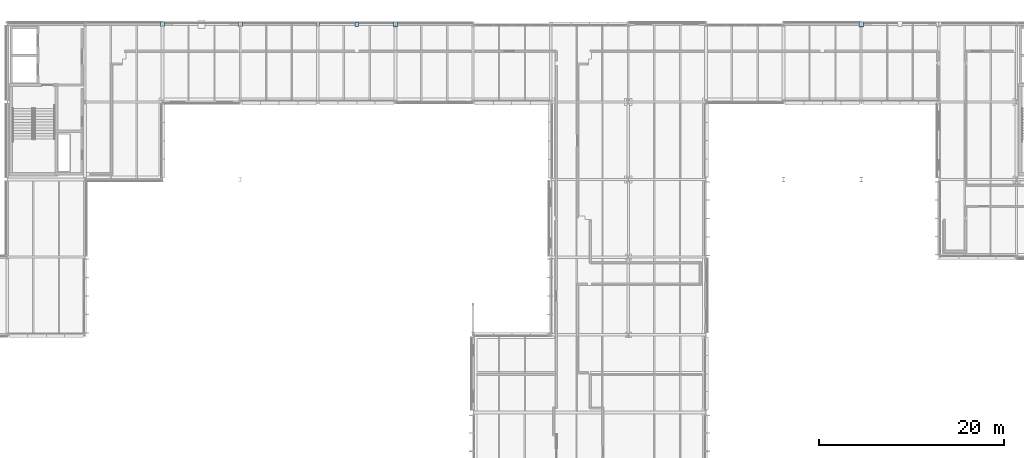
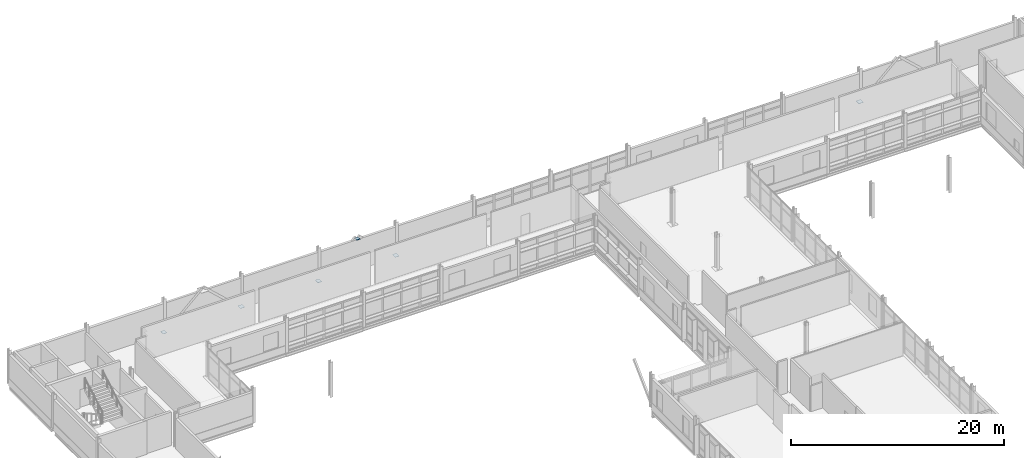
# One storey, part 82 of 103: 6 plates.
"""IFC4 building model written with IfcOpenShell, lengths in metres."""

from ifc_helpers import new_model, si_unit, direction, frame, origin, origin_2d, place, context, subcontext, project, spatial, rectangle, extrude, material, layer, layer_set, type_object, element, save


model = new_model("IFC4")

# Units and contexts
model_context = context("Model", 3, precision=1e-05, world=origin(), true_north=direction((0.0, 1.0)))
body_context = subcontext(model_context, "Body", "Model", "MODEL_VIEW")
ifc_project = project(units=[si_unit("LENGTHUNIT", "METRE"), si_unit("AREAUNIT", "SQUARE_METRE"), si_unit("VOLUMEUNIT", "CUBIC_METRE"), si_unit("PLANEANGLEUNIT", "RADIAN"), si_unit("MASSUNIT", "GRAM", prefix="KILO")], contexts=[model_context])

# Site, building, storey
site_placement = place(None, origin())
site = spatial("IfcSite", under=ifc_project, at=site_placement, CompositionType="ELEMENT")
building_placement = place(site_placement, origin())
building = spatial("IfcBuilding", under=site, at=building_placement, Name="Mersafa Astral City Hall", CompositionType="ELEMENT")
storey_placement = place(building_placement, frame((0.0, 0.0, 18.0)))
storey = spatial("IfcBuildingStorey", under=building, at=storey_placement, Name="L04", CompositionType="ELEMENT", Elevation=18.0)

# Plates
ifc_material = material(Name="Steel S355", Category="steel")
ifc_layer_1 = layer(ifc_material, 0.014892578125, Name="Steel S355")
ifc_layer_set_1 = layer_set([ifc_layer_1], Name="Steel S355 — STR-PLT-NP-2")
plate_type_1 = type_object("IfcPlateType", Name="STR-PLT-NP-2", PredefinedType="SHEET", material=ifc_layer_set_1)
plate_1_placement = place(storey_placement, frame((79.800048828125, 126.0, 3.5126953125), z_axis=(0.0, 0.0, 1.0), x_axis=(1.0, 0.0, 0.0)))
element("IfcPlate", 1, at=plate_1_placement, inside=storey, type_object=plate_type_1, Name="L04 Structural steel brace gusset plate NP-2", PredefinedType="SHEET", context=body_context, shape_type="SweptSolid", body=[
    extrude(rectangle(XDim=0.385009765625, YDim=0.429931640625, at=origin_2d()), origin(), (0.0, 0.0, 1.0), 0.014892578125),
])
ifc_layer_2 = layer(ifc_material, 0.032958984375, Name="Steel S355")
ifc_layer_set_2 = layer_set([ifc_layer_2], Name="Steel S355 — STR-PLT-NP-20")
plate_type_2 = type_object("IfcPlateType", Name="STR-PLT-NP-20", PredefinedType="SHEET", material=ifc_layer_set_2)
plate_2_placement = place(storey_placement, frame((75.597900390625, 126.0, 0.103515625), z_axis=(0.0, 0.0, 1.0), x_axis=(1.0, 0.0, 0.0)))
element("IfcPlate", 2, at=plate_2_placement, inside=storey, type_object=plate_type_2, Name="L04 Structural steel brace gusset plate NP-20", PredefinedType="SHEET", context=body_context, shape_type="SweptSolid", body=[
    extrude(rectangle(XDim=0.409912109375, YDim=0.510009765625, at=origin_2d()), origin(), (0.0, 0.0, 1.0), 0.032958984375),
])
ifc_layer_3 = layer(ifc_material, 0.013916015625, Name="Steel S355")
ifc_layer_set_3 = layer_set([ifc_layer_3], Name="Steel S355 — STR-PLT-NP-21")
plate_type_3 = type_object("IfcPlateType", Name="STR-PLT-NP-21", PredefinedType="SHEET", material=ifc_layer_set_3)
plate_3_placement = place(storey_placement, frame((84.001953125, 126.0, 0.11328125), z_axis=(0.0, 0.0, 1.0), x_axis=(1.0, 0.0, 0.0)))
element("IfcPlate", 3, at=plate_3_placement, inside=storey, type_object=plate_type_3, Name="L04 Structural steel brace gusset plate NP-21", PredefinedType="SHEET", context=body_context, shape_type="SweptSolid", body=[
    extrude(rectangle(XDim=0.43505859375, YDim=0.5400390625, at=origin_2d()), origin(), (0.0, 0.0, 1.0), 0.013916015625),
])
ifc_layer_4 = layer(ifc_material, 0.01708984375, Name="Steel S355")
ifc_layer_set_4 = layer_set([ifc_layer_4], Name="Steel S355 — STR-PLT-NP-4")
plate_type_4 = type_object("IfcPlateType", Name="STR-PLT-NP-4", PredefinedType="SHEET", material=ifc_layer_set_4)
plate_4_placement = place(storey_placement, frame((58.798095703125, 126.0, 0.111572265625), z_axis=(0.0, 0.0, 1.0), x_axis=(1.0, 0.0, 0.0)))
element("IfcPlate", 4, at=plate_4_placement, inside=storey, type_object=plate_type_4, Name="L04 Structural steel brace gusset plate NP-4", PredefinedType="SHEET", context=body_context, shape_type="SweptSolid", body=[
    extrude(rectangle(XDim=0.43505859375, YDim=0.489990234375, at=origin_2d()), origin(), (0.0, 0.0, 1.0), 0.01708984375),
])
ifc_layer_5 = layer(ifc_material, 0.01806640625, Name="Steel S355")
ifc_layer_set_5 = layer_set([ifc_layer_5], Name="Steel S355 — STR-PLT-NP-5")
plate_type_5 = type_object("IfcPlateType", Name="STR-PLT-NP-5", PredefinedType="SHEET", material=ifc_layer_set_5)
plate_5_placement = place(storey_placement, frame((67.201904296875, 126.0, 0.111083984375), z_axis=(0.0, 0.0, 1.0), x_axis=(1.0, 0.0, 0.0)))
element("IfcPlate", 5, at=plate_5_placement, inside=storey, type_object=plate_type_5, Name="L04 Structural steel brace gusset plate NP-5", PredefinedType="SHEET", context=body_context, shape_type="SweptSolid", body=[
    extrude(rectangle(XDim=0.4599609375, YDim=0.52001953125, at=origin_2d()), origin(), (0.0, 0.0, 1.0), 0.01806640625),
])
ifc_layer_6 = layer(ifc_material, 0.01904296875, Name="Steel S355")
ifc_layer_set_6 = layer_set([ifc_layer_6], Name="Steel S355 — STR-PLT-NP-6")
plate_type_6 = type_object("IfcPlateType", Name="STR-PLT-NP-6", PredefinedType="SHEET", material=ifc_layer_set_6)
plate_6_placement = place(storey_placement, frame((134.39794921875, 126.0, 0.110595703125), z_axis=(0.0, 0.0, 1.0), x_axis=(1.0, 0.0, 0.0)))
element("IfcPlate", 6, at=plate_6_placement, inside=storey, type_object=plate_type_6, Name="L04 Structural steel brace gusset plate NP-6", PredefinedType="SHEET", context=body_context, shape_type="SweptSolid", body=[
    extrude(rectangle(XDim=0.485107421875, YDim=0.550048828125, at=origin_2d()), origin(), (0.0, 0.0, 1.0), 0.01904296875),
])

save(model, "model.ifc")
